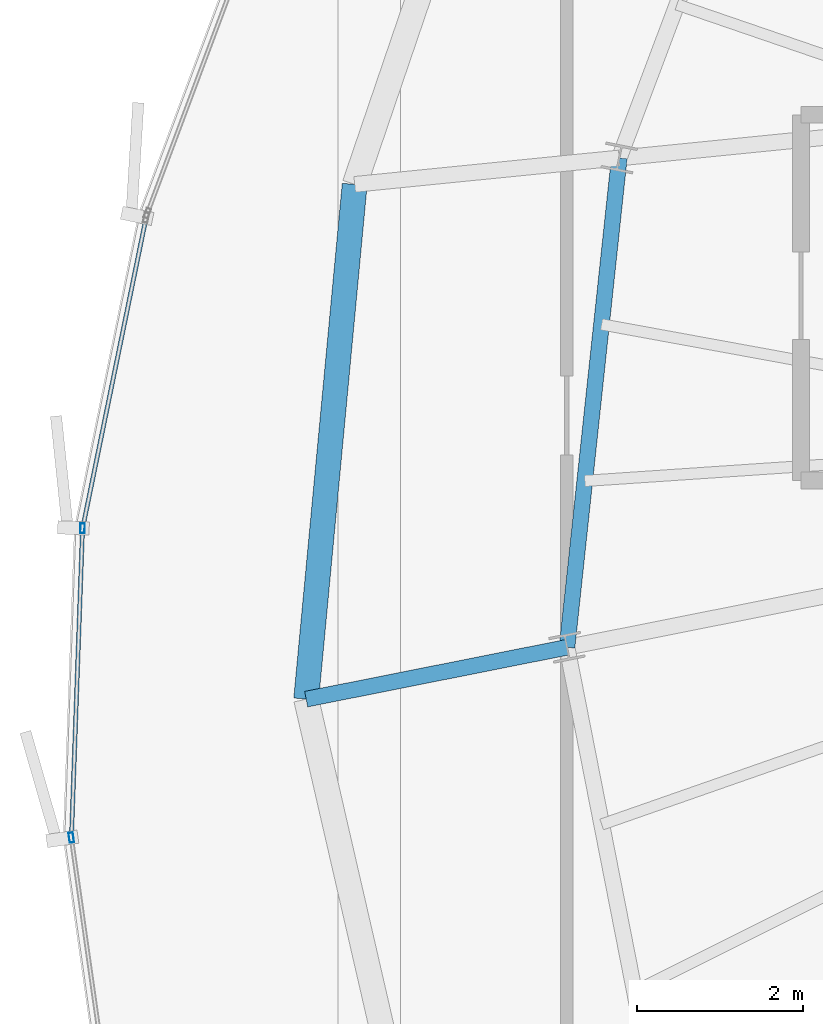
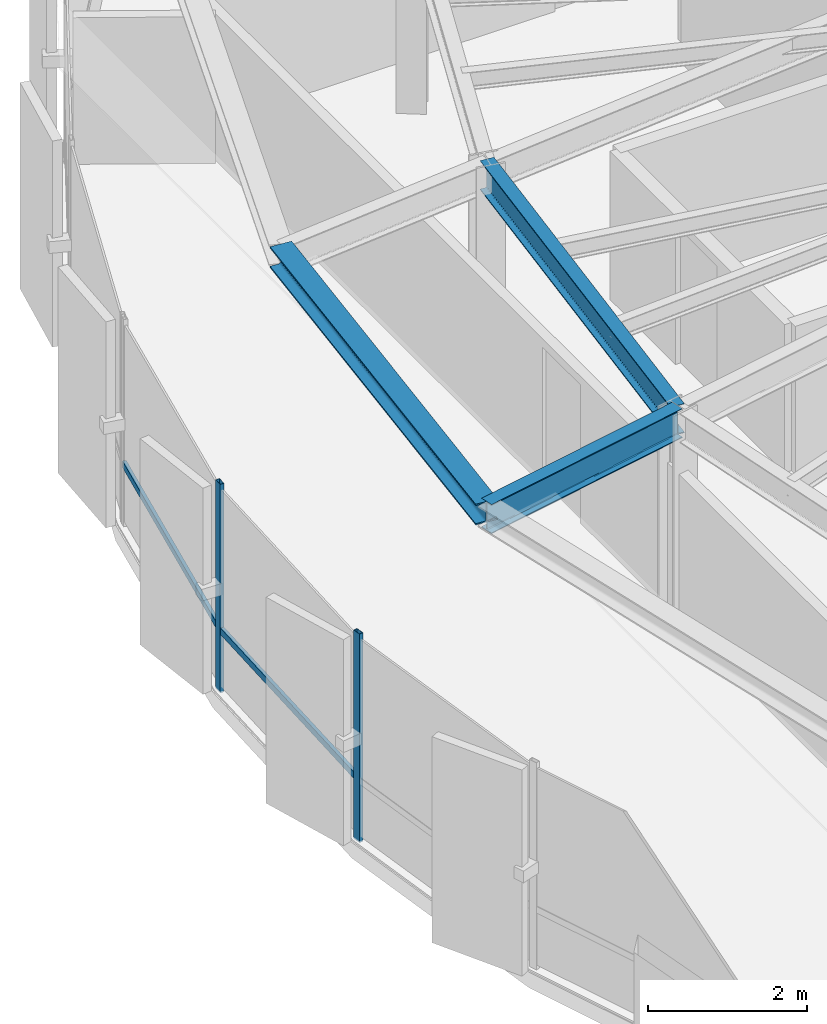
# One storey, part 9 of 34: 4 members, 3 beams, 1 element without a shape of its own.
"""IFC4 building model written with IfcOpenShell, lengths in metres."""

import ifcopenshell
import ifcopenshell.guid

model = None  # the IFC model being written
_history = None  # IfcOwnerHistory: only IFC2X3 demands one
_inside = {}  # id of a spatial element -> (the spatial element, [elements in it])
_under = {}  # id of a project, library or spatial element -> (it, [spatial elements below it])
_declared = {}  # id of a project -> (the project, [libraries it declares])
_typed = {}  # id of a type object -> (the type object, [elements of that type])
_made_of = {}  # id of a material, layer set ... -> (it, [elements and type objects made of it])


def new_model(schema):
    """Start an empty IFC model of exactly this schema.

    Asked for "IFC4X3", IfcOpenShell would pick the latest addendum, in which some entities
    have other attributes; the version numbers below select the first issue.
    IFC2X3 requires an IfcOwnerHistory on every rooted entity: one is made here for all.
    """
    global model, _history
    if schema == "IFC4X3":
        model = ifcopenshell.file(schema_version=(4, 3, 0, 0))
    else:
        model = ifcopenshell.file(schema=schema)
    _inside.clear()
    _under.clear()
    _declared.clear()
    _typed.clear()
    _made_of.clear()
    _history = None
    if model.schema == "IFC2X3":
        org = make("IfcOrganization", Name="unknown")
        user = make(
            "IfcPersonAndOrganization",
            ThePerson=make("IfcPerson", FamilyName="unknown"),
            TheOrganization=org,
        )
        app = make(
            "IfcApplication",
            ApplicationDeveloper=org,
            Version="unknown",
            ApplicationFullName="unknown",
            ApplicationIdentifier="unknown",
        )
        _history = make(
            "IfcOwnerHistory",
            OwningUser=user,
            OwningApplication=app,
            ChangeAction="ADDED",
            CreationDate=0,
        )
    return model


def make(cls, **values):
    """One entity of the class cls with the attributes given. An attribute that is None is left unset."""
    return model.create_entity(
        cls, **{name: value for name, value in values.items() if value is not None}
    )


def rooted(cls, **values):
    """An entity with a GlobalId (a new one), such as an element, a storey or a relation."""
    return make(cls, GlobalId=ifcopenshell.guid.new(), OwnerHistory=_history, **values)


def si_unit(unit_type, name, prefix=None):
    """IfcSIUnit, for example si_unit("LENGTHUNIT", "METRE", prefix="MILLI")."""
    return make("IfcSIUnit", UnitType=unit_type, Prefix=prefix, Name=name)


def assignment(units):
    """IfcUnitAssignment: the units of a project."""
    return None if units is None else make("IfcUnitAssignment", Units=units)


def point(xyz):
    """IfcCartesianPoint."""
    return None if xyz is None else make("IfcCartesianPoint", Coordinates=xyz)


def direction(xyz):
    """IfcDirection."""
    return None if xyz is None else make("IfcDirection", DirectionRatios=xyz)


def frame(location, z_axis=None, x_axis=None):
    """IfcAxis2Placement3D, a coordinate frame: its origin and axes. An axis left out is left unset."""
    return make(
        "IfcAxis2Placement3D",
        Location=point(location),
        Axis=direction(z_axis),
        RefDirection=direction(x_axis),
    )


def frame_2d(location, x_axis=None):
    """IfcAxis2Placement2D, a coordinate frame in the plane: its origin and x axis."""
    return make(
        "IfcAxis2Placement2D", Location=point(location), RefDirection=direction(x_axis)
    )


def origin():
    """The frame at (0, 0, 0) with its axes left unset."""
    return frame((0.0, 0.0, 0.0))


def origin_2d():
    """The frame at (0, 0) in the plane with its x axis left unset."""
    return frame_2d((0.0, 0.0))


def place(relative_to, where):
    """IfcLocalPlacement: puts the frame where relative to a parent placement (None: the world)."""
    return make(
        "IfcLocalPlacement", PlacementRelTo=relative_to, RelativePlacement=where
    )


def context(
    kind, dimensions, precision=None, world=None, true_north=None, identifier=None
):
    """IfcGeometricRepresentationContext, for example the 3D "Model" context."""
    return make(
        "IfcGeometricRepresentationContext",
        ContextIdentifier=identifier,
        ContextType=kind,
        CoordinateSpaceDimension=dimensions,
        Precision=precision,
        WorldCoordinateSystem=world,
        TrueNorth=true_north,
    )


def subcontext(parent, identifier, kind, view, scale=None):
    """IfcGeometricRepresentationSubContext, for example "Body" below "Model"."""
    return make(
        "IfcGeometricRepresentationSubContext",
        ContextIdentifier=identifier,
        ContextType=kind,
        ParentContext=parent,
        TargetScale=scale,
        TargetView=view,
    )


def project(units=None, contexts=None):
    """IfcProject with its units and contexts."""
    return rooted(
        "IfcProject",
        Name="project",
        RepresentationContexts=contexts,
        UnitsInContext=assignment(units),
    )


def spatial(cls, under=None, at=None, **own):
    """A site, building, storey or space (cls), placed at a placement, below another one or the project."""
    s = rooted(cls, ObjectPlacement=at, **own)
    if under is not None:
        _under.setdefault(under.id(), (under, []))[1].append(s)
    return s


def profile(cls, at=None, kind="AREA", **sizes):
    """A parametric profile (cls). Its sizes go by their IFC names, for example OverallWidth=200.0."""
    return make(cls, ProfileType=kind, Position=at, **sizes)


def hollow_rectangle(**sizes):
    """IfcRectangleHollowProfileDef."""
    return profile("IfcRectangleHollowProfileDef", **sizes)


def i_section(**sizes):
    """IfcIShapeProfileDef."""
    return profile("IfcIShapeProfileDef", **sizes)


def extrude(swept, where, along, depth):
    """IfcExtrudedAreaSolid: the profile swept, set in the frame where, extruded along a direction by depth."""
    return make(
        "IfcExtrudedAreaSolid",
        SweptArea=swept,
        Position=where,
        ExtrudedDirection=direction(along),
        Depth=depth,
    )


def shape(context_of_items, identifier, shape_type, items):
    """IfcShapeRepresentation: the items that make up one representation, for example the "Body"."""
    return make(
        "IfcShapeRepresentation",
        ContextOfItems=context_of_items,
        RepresentationIdentifier=identifier,
        RepresentationType=shape_type,
        Items=items,
    )


def source(mapping_origin, context_of_items, identifier, shape_type, items):
    """IfcRepresentationMap: a shape defined once, which mapped items show again and again."""
    return make(
        "IfcRepresentationMap",
        MappingOrigin=mapping_origin,
        MappedRepresentation=shape(context_of_items, identifier, shape_type, items),
    )


def transform(
    local_origin,
    x_axis=None,
    y_axis=None,
    z_axis=None,
    scale=None,
    scale2=None,
    scale3=None,
    uniform=True,
):
    """IfcCartesianTransformationOperator3D, or its non-uniform kind. x_axis, y_axis, z_axis: its Axis1, 2, 3."""
    if uniform:
        return make(
            "IfcCartesianTransformationOperator3D",
            Axis1=direction(x_axis),
            Axis2=direction(y_axis),
            LocalOrigin=point(local_origin),
            Scale=scale,
            Axis3=direction(z_axis),
        )
    return make(
        "IfcCartesianTransformationOperator3DnonUniform",
        Axis1=direction(x_axis),
        Axis2=direction(y_axis),
        LocalOrigin=point(local_origin),
        Scale=scale,
        Axis3=direction(z_axis),
        Scale2=scale2,
        Scale3=scale3,
    )


def mapped(mapping_source, mapping_target):
    """IfcMappedItem: shows the shape of a source again, moved by a transform."""
    return make(
        "IfcMappedItem", MappingSource=mapping_source, MappingTarget=mapping_target
    )


def material(Name=None, Category=None):
    """IfcMaterial."""
    return make("IfcMaterial", Name=Name, Category=Category)


def layer(
    of_material, thickness, ventilated=None, Name=None, Category=None, Priority=None
):
    """IfcMaterialLayer: one layer of a wall or slab, of a material (None: an air gap)."""
    return make(
        "IfcMaterialLayer",
        Material=of_material,
        LayerThickness=thickness,
        IsVentilated=ventilated,
        Name=Name,
        Category=Category,
        Priority=Priority,
    )


def layer_set(layers, Name=None):
    """IfcMaterialLayerSet."""
    return make("IfcMaterialLayerSet", MaterialLayers=layers, LayerSetName=Name)


def material_profile(
    of_material, cross_section, Name=None, Category=None, Priority=None
):
    """IfcMaterialProfile: a cross section and its material."""
    return make(
        "IfcMaterialProfile",
        Name=Name,
        Material=of_material,
        Profile=cross_section,
        Priority=Priority,
        Category=Category,
    )


def profile_set(profiles, Name=None, composite=None):
    """IfcMaterialProfileSet."""
    return make(
        "IfcMaterialProfileSet",
        Name=Name,
        MaterialProfiles=profiles,
        CompositeProfile=composite,
    )


def made_of(thing, what):
    """Note that an element or type object is made of a material, layer set ...; save() writes the relation."""
    if what is not None:
        _made_of.setdefault(what.id(), (what, []))[1].append(thing)
    return thing


def type_object(cls, material=None, **own):
    """A type object (cls), such as IfcWallType, which elements share."""
    return made_of(rooted(cls, **own), material)


def element(
    cls,
    number,
    at=None,
    inside=None,
    cuts=None,
    type_object=None,
    material=None,
    context=None,
    identifier="Body",
    shape_type=None,
    held_by="IfcProductDefinitionShape",
    body=None,
    shapes=None,
    **own,
):
    """One element of the class cls, such as IfcWall. Its Tag is "e" and its number.

    at: its placement. inside: the storey or other place that contains it. cuts: it is an
    opening in that element (IfcRelVoidsElement). A single representation is given by context,
    identifier, shape_type and body (its items); several are given by shapes. held_by: the class
    of the entity that holds the representations. save() writes the other relations.
    """
    e = rooted(cls, Tag="e%d" % number, ObjectPlacement=at, **own)
    if body is not None:
        shapes = [shape(context, identifier, shape_type, body)]
    if shapes is not None:
        e.Representation = make(held_by, Representations=shapes)
    if inside is not None:
        _inside.setdefault(inside.id(), (inside, []))[1].append(e)
    if cuts is not None:
        rooted(
            "IfcRelVoidsElement", RelatingBuildingElement=cuts, RelatedOpeningElement=e
        )
    if type_object is not None:
        _typed.setdefault(type_object.id(), (type_object, []))[1].append(e)
    return made_of(e, material)


def aggregate(whole, parts):
    """IfcRelAggregates: a whole, such as a stair, and the parts it consists of."""
    return rooted("IfcRelAggregates", RelatingObject=whole, RelatedObjects=parts)


def save(model, path):
    """Write the relations noted so far, then the file.

    IfcRelAggregates (storeys below a building ...), IfcRelContainedInSpatialStructure (elements
    in a storey), IfcRelDefinesByType, IfcRelAssociatesMaterial and IfcRelDeclares: one each for
    every whole, place, type object, material and project.
    """
    for whole, parts in _under.values():
        aggregate(whole, parts)
    for where, things in _inside.values():
        rooted(
            "IfcRelContainedInSpatialStructure",
            RelatedElements=things,
            RelatingStructure=where,
        )
    for kind, things in _typed.values():
        rooted("IfcRelDefinesByType", RelatedObjects=things, RelatingType=kind)
    for what, things in _made_of.values():
        rooted("IfcRelAssociatesMaterial", RelatedObjects=things, RelatingMaterial=what)
    for by, libraries in _declared.values():
        rooted("IfcRelDeclares", RelatingContext=by, RelatedDefinitions=libraries)
    model.write(path)


model = new_model("IFC4")

# Units and contexts
model_context = context("Model", 3, precision=1e-05, world=origin(), true_north=direction((0.0, 1.0)))
body_context = subcontext(model_context, "Body", "Model", "MODEL_VIEW")
ifc_project = project(units=[si_unit("LENGTHUNIT", "METRE"), si_unit("AREAUNIT", "SQUARE_METRE"), si_unit("VOLUMEUNIT", "CUBIC_METRE"), si_unit("PLANEANGLEUNIT", "RADIAN"), si_unit("MASSUNIT", "GRAM", prefix="KILO"), si_unit("THERMODYNAMICTEMPERATUREUNIT", "KELVIN")], contexts=[model_context])

# Site, building, storey
site_placement = place(None, origin())
site = spatial("IfcSite", under=ifc_project, at=site_placement, CompositionType="ELEMENT")
building_placement = place(site_placement, origin())
building = spatial("IfcBuilding", under=site, at=building_placement, Name="Kethvar Cultural Tower", CompositionType="ELEMENT")
storey_placement = place(building_placement, frame((0.0, 0.0, 231.85009765625)))
storey = spatial("IfcBuildingStorey", under=building, at=storey_placement, Name="L60", CompositionType="ELEMENT", Elevation=231.85009765625)

# Beams
ifc_material_1 = material(Name="Steel S355J2", Category="steel")
ifc_material_profile_1 = material_profile(ifc_material_1, i_section(OverallWidth=0.18994140625, OverallDepth=0.449951171875, WebThickness=0.009521484375, FlangeThickness=0.0146484375, FilletRadius=0.02099609375, at=origin_2d()), Name="Steel S355J2 — IPE450")
ifc_profile_set_1 = profile_set([ifc_material_profile_1], Name="Steel S355J2 — IPE450")
beam_type_1 = type_object("IfcBeamType", Name="BM-IPE450", PredefinedType="BEAM", material=ifc_profile_set_1)
shared_shape_1 = source(origin(), body_context, "Body", "SweptSolid", [
    extrude(i_section(OverallWidth=0.18994140625, OverallDepth=0.449951171875, WebThickness=0.009521484375, FlangeThickness=0.0146484375, FilletRadius=0.02099609375, at=origin_2d()), origin(), (0.0, 0.0, 1.0), 3.2001953125),
])
beam_1_placement = place(storey_placement, frame((31.68310546875, 24.79296875, 2.98291015625), z_axis=(-0.980788453702, -0.195074368086, 0.0), x_axis=(0.195074368086, -0.980788453702, 0.0)))
element("IfcBeam", 1, at=beam_1_placement, inside=storey, type_object=beam_type_1, Name="L60 Perimeter Cantilever Beam RC-09", PredefinedType="BEAM", context=body_context, shape_type="MappedRepresentation", body=[
    mapped(shared_shape_1, transform((0.0, 0.0, 0.0), scale=1.0)),
])
shared_shape_2 = source(origin(), body_context, "Body", "SweptSolid", [
    extrude(i_section(OverallWidth=0.18994140625, OverallDepth=0.449951171875, WebThickness=0.009521484375, FlangeThickness=0.0146484375, FilletRadius=0.02099609375, at=origin_2d()), origin(), (0.0, 0.0, 1.0), 5.92236328125),
])
beam_2_placement = place(storey_placement, frame((32.3125, 30.681884765625, 2.98291015625), z_axis=(-0.106272578913, -0.994337034899, 0.0), x_axis=(0.994337034899, -0.106272578913, 0.0)))
element("IfcBeam", 2, at=beam_2_placement, inside=storey, type_object=beam_type_1, Name="L60 Column Ring Tie Beam CR-08", PredefinedType="BEAM", context=body_context, shape_type="MappedRepresentation", body=[
    mapped(shared_shape_2, transform((0.0, 0.0, 0.0), scale=1.0)),
])
ifc_material_profile_2 = material_profile(ifc_material_1, i_section(OverallWidth=0.300048828125, OverallDepth=0.320068359375, WebThickness=0.011474609375, FlangeThickness=0.0205078125, FilletRadius=0.027099609375, at=origin_2d()), Name="Steel S355J2 — HEB320")
ifc_profile_set_2 = profile_set([ifc_material_profile_2], Name="Steel S355J2 — HEB320")
beam_type_2 = type_object("IfcBeamType", Name="BM-SP320", PredefinedType="SPANDREL", material=ifc_profile_set_2)
shared_shape_3 = source(origin(), body_context, "Body", "SweptSolid", [
    extrude(i_section(OverallWidth=0.300048828125, OverallDepth=0.320068359375, WebThickness=0.011474609375, FlangeThickness=0.0205078125, FilletRadius=0.027099609375, at=origin_2d()), origin(), (0.0, 0.0, 1.0), 6.222412109375),
])
beam_3_placement = place(storey_placement, frame((29.128173828125, 30.36376953125, 3.0478515625), z_axis=(-0.093811063392, -0.995590018223, 0.0), x_axis=(0.995590018223, -0.093811063392, 0.0)))
element("IfcBeam", 3, at=beam_3_placement, inside=storey, type_object=beam_type_2, Name="L60 Perimeter Spandrel Beam SP-08", PredefinedType="SPANDREL", context=body_context, shape_type="MappedRepresentation", body=[
    mapped(shared_shape_3, transform((0.0, 0.0, 0.0), scale=1.0)),
])

# Curtain wall, members
ifc_material_2 = material(Name="Aluminium 6063-T6", Category="aluminium")
ifc_layer = layer(ifc_material_2, 0.179931640625, Name="Aluminium 6063-T6", Category="aluminium")
ifc_layer_set = layer_set([ifc_layer], Name="Aluminium 6063-T6 (180 mm)")
curtain_wall_type = type_object("IfcCurtainWallType", Name="CW-SYS-05-Z56", PredefinedType="NOTDEFINED", material=ifc_layer_set)
curtain_wall_placement = place(storey_placement, origin())
curtain_wall = element("IfcCurtainWall", 4, at=curtain_wall_placement, inside=storey, type_object=curtain_wall_type, Name="L60 Curtain Wall Run 03", PredefinedType="NOTDEFINED")
ifc_material_profile_3 = material_profile(ifc_material_2, hollow_rectangle(XDim=0.054931640625, YDim=0.1201171875, WallThickness=0.00390625, at=origin_2d()), Name="Aluminium 6063-T6 — RHS120x55x4")
ifc_profile_set_3 = profile_set([ifc_material_profile_3], Name="Aluminium 6063-T6 — RHS120x55x4")
member_type_1 = type_object("IfcMemberType", Name="CW-SYS-05-Z56-MUL", PredefinedType="MULLION", material=ifc_profile_set_3)
shared_shape_4 = source(origin(), body_context, "Body", "SweptSolid", [
    extrude(hollow_rectangle(XDim=0.054931640625, YDim=0.1201171875, WallThickness=0.00390625, at=origin_2d()), origin(), (0.0, 0.0, 1.0), 3.2099609375),
])
member_1_placement = place(storey_placement, frame((25.852783203125, 26.225830078125, 0.0), z_axis=(0.0, 0.0, 1.0), x_axis=(0.999356239452, -0.035876268863, 0.0)))
member_1 = element("IfcMember", 5, at=member_1_placement, type_object=member_type_1, Name="CW-L60-R03 Mullion 2", PredefinedType="MULLION", context=body_context, shape_type="MappedRepresentation", body=[
    mapped(shared_shape_4, transform((0.0, 0.0, 0.0), scale=1.0)),
])
member_2_placement = place(storey_placement, frame((25.7177734375, 22.502685546875, 0.0), z_axis=(0.0, 0.0, 1.0), x_axis=(0.990028575494, 0.140866673507, 0.0)))
member_2 = element("IfcMember", 6, at=member_2_placement, type_object=member_type_1, Name="CW-L60-R03 Mullion 3", PredefinedType="MULLION", context=body_context, shape_type="MappedRepresentation", body=[
    mapped(shared_shape_4, transform((0.0, 0.0, 0.0), scale=1.0)),
])
ifc_material_profile_4 = material_profile(ifc_material_2, hollow_rectangle(XDim=0.050048828125, YDim=0.10009765625, WallThickness=0.00390625, at=origin_2d()), Name="Aluminium 6063-T6 — RHS100x50x4")
ifc_profile_set_4 = profile_set([ifc_material_profile_4], Name="Aluminium 6063-T6 — RHS100x50x4")
member_type_2 = type_object("IfcMemberType", Name="CW-SYS-05-Z56-TRN", PredefinedType="USERDEFINED", material=ifc_profile_set_4)
shared_shape_5 = source(origin(), body_context, "Body", "SweptSolid", [
    extrude(hollow_rectangle(XDim=0.050048828125, YDim=0.10009765625, WallThickness=0.00390625, at=origin_2d()), origin(), (0.0, 0.0, 1.0), 3.78759765625),
])
member_3_placement = place(storey_placement, frame((26.616943359375, 29.959228515625, 0.949951171875), z_axis=(-0.200143125841, -0.979766670784, 0.0), x_axis=(0.979766670784, -0.200143125841, 0.0)))
member_3 = element("IfcMember", 7, at=member_3_placement, type_object=member_type_2, Name="CW-L60-R03 Transom 1", ObjectType="TRANSOM", PredefinedType="USERDEFINED", context=body_context, shape_type="MappedRepresentation", body=[
    mapped(shared_shape_5, transform((0.0, 0.0, 0.0), scale=1.0)),
])
shared_shape_6 = source(origin(), body_context, "Body", "SweptSolid", [
    extrude(hollow_rectangle(XDim=0.050048828125, YDim=0.10009765625, WallThickness=0.00390625, at=origin_2d()), origin(), (0.0, 0.0, 1.0), 3.6640625),
])
member_4_placement = place(storey_placement, frame((25.8515625, 26.186279296875, 0.949951171875), z_axis=(-0.035848392786, -0.999357239797, 0.0), x_axis=(0.999357239797, -0.035848392786, 0.0)))
member_4 = element("IfcMember", 8, at=member_4_placement, type_object=member_type_2, Name="CW-L60-R03 Transom 2", ObjectType="TRANSOM", PredefinedType="USERDEFINED", context=body_context, shape_type="MappedRepresentation", body=[
    mapped(shared_shape_6, transform((0.0, 0.0, 0.0), scale=1.0)),
])
aggregate(curtain_wall, [member_1, member_2, member_3, member_4])

save(model, "model.ifc")
